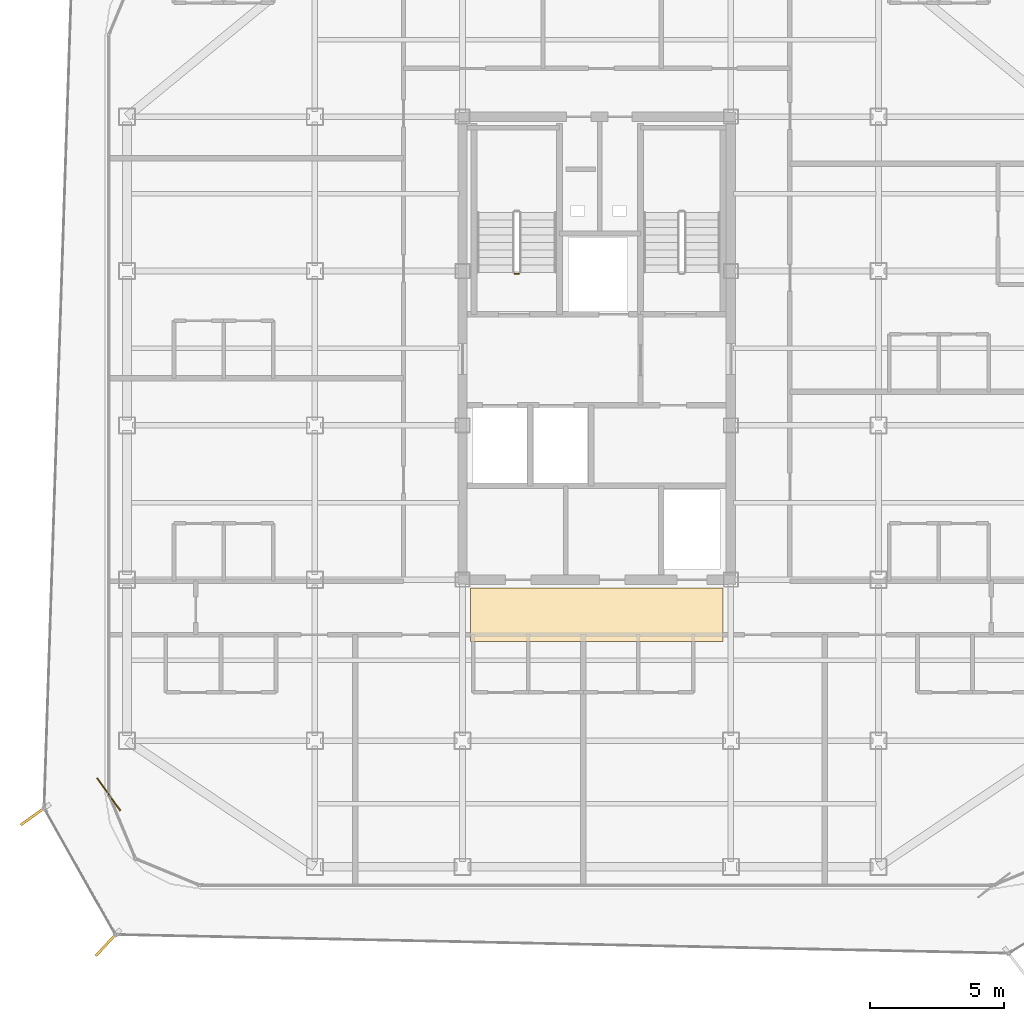
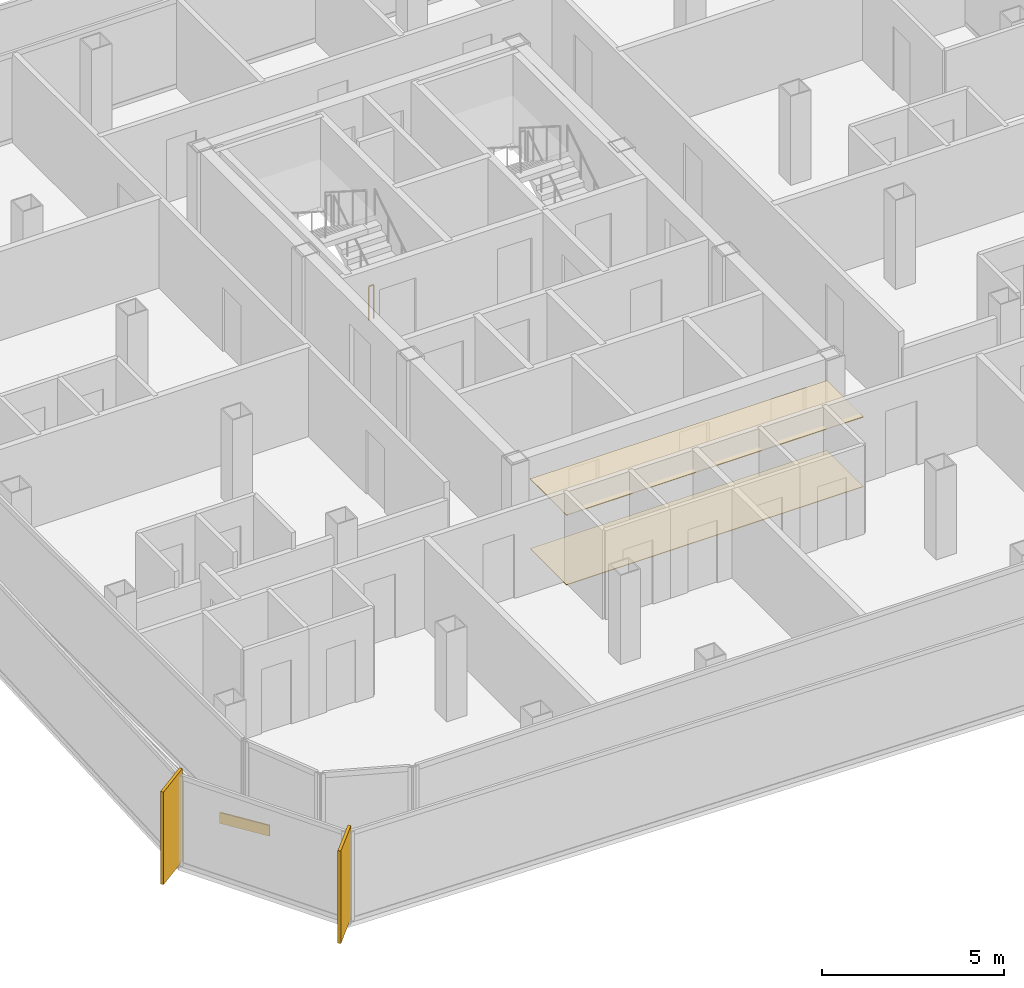
# One storey, part 14 of 16: 3 coverings, 2 shading devices, 1 railing.
"""IFC4 building model written with IfcOpenShell, lengths in metres."""

from ifc_helpers import new_model, si_unit, direction, frame, origin, origin_2d, place, context, subcontext, project, spatial, polyline, rectangle, circle, outline, extrude, source, transform, mapped, material, layer, layer_set, type_object, element, save


model = new_model("IFC4")

# Units and contexts
model_context = context("Model", 3, precision=1e-05, world=origin(), true_north=direction((0.0, 1.0)))
body_context = subcontext(model_context, "Body", "Model", "MODEL_VIEW")
ifc_project = project(units=[si_unit("LENGTHUNIT", "METRE"), si_unit("AREAUNIT", "SQUARE_METRE"), si_unit("VOLUMEUNIT", "CUBIC_METRE"), si_unit("PLANEANGLEUNIT", "RADIAN"), si_unit("MASSUNIT", "GRAM", prefix="KILO")], contexts=[model_context])

# Site, building, storey
site_placement = place(None, origin())
site = spatial("IfcSite", under=ifc_project, at=site_placement, CompositionType="ELEMENT")
building_placement = place(site_placement, origin())
building = spatial("IfcBuilding", under=site, at=building_placement, Name="Kolveth Station Tower", CompositionType="ELEMENT")
storey_placement = place(building_placement, frame((0.0, 0.0, 232.89990234375)))
storey = spatial("IfcBuildingStorey", under=building, at=storey_placement, Name="L66", CompositionType="ELEMENT", Elevation=232.89990234375)

# Coverings
ifc_material_1 = material(Name="Acoustic mineral-fibre ceiling tile")
ifc_layer_1 = layer(ifc_material_1, 0.02490234375)
ifc_layer_set_1 = layer_set([ifc_layer_1], Name="Acoustic mineral-fibre ceiling tile")
covering_type_1 = type_object("IfcCoveringType", Name="Ceil_CL1", PredefinedType="CEILING", material=ifc_layer_set_1)
covering_1_placement = place(storey_placement, frame((0.0, 0.0, 2.330078125)))
element("IfcCovering", 1, at=covering_1_placement, inside=storey, type_object=covering_type_1, Name="L66 Lift Lobby Suspended Ceiling", PredefinedType="CEILING", context=body_context, shape_type="SweptSolid", body=[
    extrude(outline(polyline([(18.800048828125, 9.199951171875), (28.199951171875, 9.199951171875), (28.199951171875, 11.199951171875), (18.800048828125, 11.199951171875), (18.800048828125, 9.199951171875)])), origin(), (0.0, 0.0, 1.0), 0.02490234375),
])
ifc_material_2 = material(Name="Honed terrazzo flooring")
ifc_layer_2 = layer(ifc_material_2, 0.02001953125)
ifc_layer_set_2 = layer_set([ifc_layer_2], Name="Honed terrazzo flooring")
covering_type_2 = type_object("IfcCoveringType", Name="Floor_FL1", PredefinedType="FLOORING", material=ifc_layer_set_2)
covering_2_placement = place(storey_placement, origin())
element("IfcCovering", 2, at=covering_2_placement, inside=storey, type_object=covering_type_2, Name="L66 Lift Lobby Floor Finish", PredefinedType="FLOORING", context=body_context, shape_type="SweptSolid", body=[
    extrude(outline(polyline([(18.800048828125, 9.199951171875), (28.199951171875, 9.199951171875), (28.199951171875, 11.199951171875), (18.800048828125, 11.199951171875), (18.800048828125, 9.199951171875)])), origin(), (0.0, 0.0, 1.0), 0.02001953125),
])

# Railing
ifc_material_3 = material(Name="Painted Steel S355 balustrade", Category="steel")
railing_type = type_object("IfcRailingType", Name="Guard_GR2", PredefinedType="BALUSTRADE", material=ifc_material_3)
railing_placement = place(storey_placement, frame((20.60009765625, 22.89990234375, 0.0)))
element("IfcRailing", 3, at=railing_placement, inside=storey, type_object=railing_type, Name="L66 ST1 stair guard 4", PredefinedType="BALUSTRADE", context=body_context, shape_type="SweptSolid", body=[
    extrude(circle(Radius=0.02392578125, at=origin_2d()), frame((0.0, 0.0, 1.1259765625), z_axis=(-1.0, 0.0, 0.0), x_axis=(0.0, -1.0, 0.0)), (0.0, 0.0, 1.0), 0.16015625),
    extrude(circle(Radius=0.02099609375, at=origin_2d()), origin(), (0.0, 0.0, 1.0), 1.101806640625),
    extrude(circle(Radius=0.02099609375, at=origin_2d()), frame((-0.16015625, 0.0, 0.0)), (0.0, 0.0, 1.0), 1.101806640625),
])

# Shading devices
ifc_material_4 = material(Name="Black anodized aluminium 6063-T6", Category="aluminium")
shading_device_type = type_object("IfcShadingDeviceType", Name="FIN_VF1", PredefinedType="USERDEFINED", material=ifc_material_4)
shared_shape_1 = source(origin(), body_context, "Body", "SweptSolid", [
    extrude(rectangle(XDim=1.25, YDim=0.090087890625, at=origin_2d()), origin(), (0.0, 0.0, 1.0), 3.10009765625),
])
for number, where, z_axis, x_axis, name in (
    (4, (2.548095703125, 2.72509765625, 0.0), (0.0, 0.0, 1.0), (-0.814520727071, -0.580134454392, 0.0), "L66 Dark-Aluminium Solar Fin 7"),
    (5, (5.262939453125, -2.054931640625, 0.0), (0.0, 0.0, 1.0), (-0.679185142834, -0.733966989553, 0.0), "L66 Dark-Aluminium Solar Fin 8"),
):
    element("IfcShadingDevice", number, at=place(storey_placement, frame(where, z_axis=z_axis, x_axis=x_axis)), inside=storey, type_object=shading_device_type, Name=name, ObjectType="FIN", PredefinedType="USERDEFINED", context=body_context, shape_type="MappedRepresentation", body=[
        mapped(shared_shape_1, transform((0.0, 0.0, 0.0), x_axis=(1.0, 0.0, 0.0), y_axis=(0.0, 1.0, 0.0), z_axis=(0.0, 0.0, 1.0), scale=1.0)),
    ])

# Covering
ifc_material_5 = material(Name="Charcoal anodized aluminium spandrel cladding", Category="aluminium")
ifc_layer_3 = layer(ifc_material_5, 0.044921875)
ifc_layer_set_3 = layer_set([ifc_layer_3], Name="Charcoal anodized aluminium spandrel cladding")
covering_type_3 = type_object("IfcCoveringType", Name="Clad_CD1", PredefinedType="CLADDING", material=ifc_layer_set_3)
shared_shape_2 = source(origin(), body_context, "Body", "SweptSolid", [
    extrude(rectangle(XDim=1.5, YDim=0.044921875, at=origin_2d()), origin(), (0.0, 0.0, 1.0), 0.360107421875),
])
covering_3_placement = place(storey_placement, frame((5.320068359375, 3.5, 0.0), z_axis=(0.0, 0.0, 1.0), x_axis=(0.580134454392, -0.814520727071, 0.0)))
element("IfcCovering", 6, at=covering_3_placement, inside=storey, type_object=covering_type_3, Name="L66 Spandrel Edge Cladding 7", PredefinedType="CLADDING", context=body_context, shape_type="MappedRepresentation", body=[
    mapped(shared_shape_2, transform((0.0, 0.0, 0.0), x_axis=(1.0, 0.0, 0.0), y_axis=(0.0, 1.0, 0.0), z_axis=(0.0, 0.0, 1.0), scale=1.0)),
])

save(model, "model.ifc")
